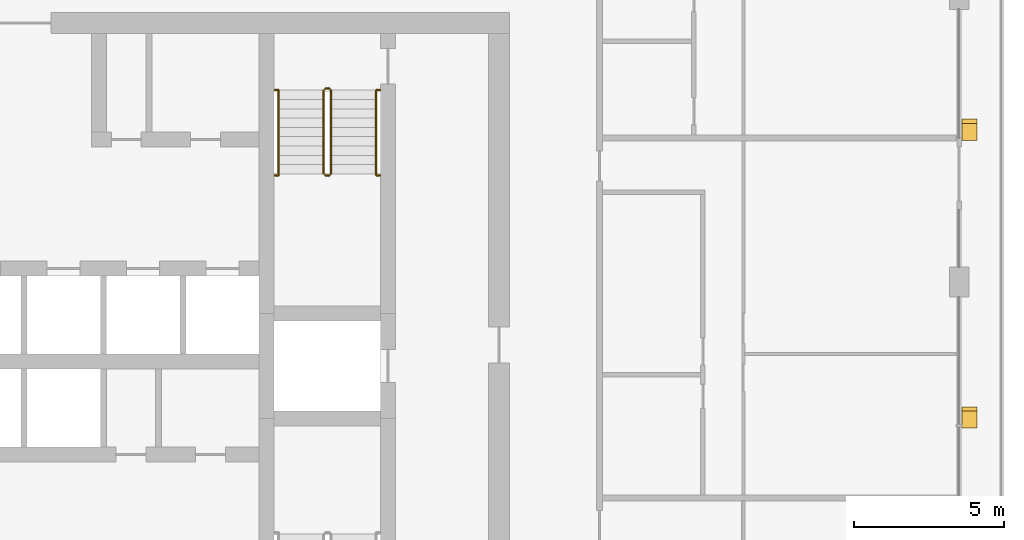
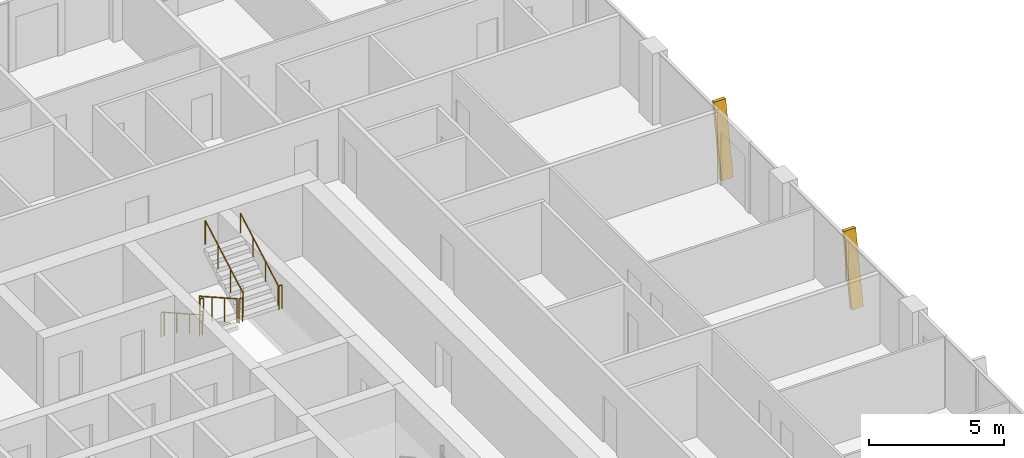
# One storey, part 22 of 23: 10 railings, 2 shading devices.
"""IFC4 building model written with IfcOpenShell, lengths in metres."""

from ifc_helpers import new_model, si_unit, direction, frame, origin, origin_2d, place, context, subcontext, project, spatial, polyline, circle, outline, extrude, material, type_object, element, save


model = new_model("IFC4")

# Units and contexts
model_context = context("Model", 3, precision=1e-05, world=origin(), true_north=direction((0.0, 1.0)))
body_context = subcontext(model_context, "Body", "Model", "MODEL_VIEW")
ifc_project = project(units=[si_unit("LENGTHUNIT", "METRE"), si_unit("AREAUNIT", "SQUARE_METRE"), si_unit("VOLUMEUNIT", "CUBIC_METRE"), si_unit("PLANEANGLEUNIT", "RADIAN"), si_unit("MASSUNIT", "GRAM", prefix="KILO")], contexts=[model_context])

# Site, building, storey
site_placement = place(None, origin())
site = spatial("IfcSite", under=ifc_project, at=site_placement, CompositionType="ELEMENT")
building_placement = place(site_placement, origin())
building = spatial("IfcBuilding", under=site, at=building_placement, Name="Madar Terraces", CompositionType="ELEMENT")
storey_placement = place(building_placement, frame((0.0, 0.0, 212.300048828125)))
storey = spatial("IfcBuildingStorey", under=building, at=storey_placement, Name="L55", CompositionType="ELEMENT", Elevation=212.300048828125)

# Shading devices
ifc_material_1 = material(Name="Aluminium, black anodised", Category="aluminium")
shading_device_type = type_object("IfcShadingDeviceType", Name="Facade fin blade 140 x 500", PredefinedType="USERDEFINED", material=ifc_material_1)
shading_device_1_placement = place(storey_placement, frame((62.75, 23.929931640625, 0.0), z_axis=(0.0, 0.0, 1.0), x_axis=(0.0, 1.0, 0.0)))
element("IfcShadingDevice", 1, at=shading_device_1_placement, inside=storey, type_object=shading_device_type, Name="FIN L55 E2", ObjectType="FIN", PredefinedType="USERDEFINED", context=body_context, shape_type="SweptSolid", body=[
    extrude(outline(polyline([(0.0, 0.0), (0.14013671875, 0.0), (0.704345703125, 3.199951171875), (0.564208984375, 3.199951171875), (0.0, 0.0)])), frame((0.0, 0.25, 0.0), z_axis=(0.0, -1.0, 0.0), x_axis=(1.0, 0.0, 0.0)), (0.0, 0.0, 1.0), 0.5),
])
shading_device_2_placement = place(storey_placement, frame((62.75, 33.530029296875, 0.0), z_axis=(0.0, 0.0, 1.0), x_axis=(0.0, 1.0, 0.0)))
element("IfcShadingDevice", 2, at=shading_device_2_placement, inside=storey, type_object=shading_device_type, Name="FIN L55 E3", ObjectType="FIN", PredefinedType="USERDEFINED", context=body_context, shape_type="SweptSolid", body=[
    extrude(outline(polyline([(0.0, 0.0), (0.139892578125, 0.0), (0.704345703125, 3.199951171875), (0.564208984375, 3.199951171875), (0.0, 0.0)])), frame((0.0, 0.25, 0.0), z_axis=(0.0, -1.0, 0.0), x_axis=(1.0, 0.0, 0.0)), (0.0, 0.0, 1.0), 0.5),
])

# Railings
ifc_material_2 = material(Name="Stainless steel railing", Category="steel")
railing_type_1 = type_object("IfcRailingType", Name="Stair guard 1100", PredefinedType="GUARDRAIL", material=ifc_material_2)
railing_1_placement = place(storey_placement, frame((41.199951171875, 35.199951171875, 0.175048828125)))
element("IfcRailing", 3, at=railing_1_placement, inside=storey, type_object=railing_type_1, Name="L55 ST2 stair guard 1", PredefinedType="GUARDRAIL", context=body_context, shape_type="SweptSolid", body=[
    extrude(circle(Radius=0.02392578125, at=origin_2d()), frame((0.0, 0.0, 1.076171875), z_axis=(0.0, -0.870833779661, 0.491577591232), x_axis=(1.0, 0.0, 0.0)), (0.0, 0.0, 1.0), 3.203857421875),
    extrude(circle(Radius=0.02099609375, at=origin_2d()), origin(), (0.0, 0.0, 1.0), 1.052001953125),
    extrude(circle(Radius=0.02099609375, at=origin_2d()), frame((0.0, -0.929931640625, 0.52490234375)), (0.0, 0.0, 1.0), 1.052001953125),
    extrude(circle(Radius=0.02099609375, at=origin_2d()), frame((0.0, -1.860107421875, 1.050048828125)), (0.0, 0.0, 1.0), 1.052001953125),
    extrude(circle(Radius=0.02099609375, at=origin_2d()), frame((0.0, -2.7900390625, 1.574951171875)), (0.0, 0.0, 1.0), 1.052001953125),
])
railing_2_placement = place(storey_placement, frame((41.25, 32.360107421875, 1.75)))
element("IfcRailing", 4, at=railing_2_placement, inside=storey, type_object=railing_type_1, Name="L55 ST2 stair guard 2", PredefinedType="GUARDRAIL", context=body_context, shape_type="SweptSolid", body=[
    extrude(circle(Radius=0.02392578125, at=origin_2d()), frame((0.0, 0.0, 1.076171875), z_axis=(1.0, 0.0, 0.0), x_axis=(0.0, 1.0, 0.0)), (0.0, 0.0, 1.0), 0.14990234375),
    extrude(circle(Radius=0.02099609375, at=origin_2d()), origin(), (0.0, 0.0, 1.0), 1.052001953125),
    extrude(circle(Radius=0.02099609375, at=origin_2d()), frame((0.14990234375, 0.0, 0.0)), (0.0, 0.0, 1.0), 1.052001953125),
])
railing_3_placement = place(storey_placement, frame((41.449951171875, 32.409912109375, 1.925048828125)))
element("IfcRailing", 5, at=railing_3_placement, inside=storey, type_object=railing_type_1, Name="L55 ST2 stair guard 3", PredefinedType="GUARDRAIL", context=body_context, shape_type="SweptSolid", body=[
    extrude(circle(Radius=0.02392578125, at=origin_2d()), frame((0.0, 0.0, 1.076171875), z_axis=(0.0, 0.870833779661, 0.491577591232), x_axis=(-1.0, 0.0, 0.0)), (0.0, 0.0, 1.0), 3.203857421875),
    extrude(circle(Radius=0.02099609375, at=origin_2d()), origin(), (0.0, 0.0, 1.0), 1.052001953125),
    extrude(circle(Radius=0.02099609375, at=origin_2d()), frame((0.0, 0.929931640625, 0.52490234375)), (0.0, 0.0, 1.0), 1.052001953125),
    extrude(circle(Radius=0.02099609375, at=origin_2d()), frame((0.0, 1.860107421875, 1.050048828125)), (0.0, 0.0, 1.0), 1.052001953125),
    extrude(circle(Radius=0.02099609375, at=origin_2d()), frame((0.0, 2.7900390625, 1.574951171875)), (0.0, 0.0, 1.0), 1.052001953125),
])
railing_4_placement = place(storey_placement, frame((41.25, 35.25, 0.0)))
element("IfcRailing", 6, at=railing_4_placement, inside=storey, type_object=railing_type_1, Name="L55 ST2 stair guard 4", PredefinedType="GUARDRAIL", context=body_context, shape_type="SweptSolid", body=[
    extrude(circle(Radius=0.02392578125, at=origin_2d()), frame((0.0, 0.0, 1.076171875), z_axis=(1.0, 0.0, 0.0), x_axis=(0.0, 1.0, 0.0)), (0.0, 0.0, 1.0), 0.14990234375),
    extrude(circle(Radius=0.02099609375, at=origin_2d()), origin(), (0.0, 0.0, 1.0), 1.052001953125),
    extrude(circle(Radius=0.02099609375, at=origin_2d()), frame((0.14990234375, 0.0, 0.0)), (0.0, 0.0, 1.0), 1.052001953125),
])
railing_5_placement = place(storey_placement, frame((39.570068359375, 32.360107421875, 1.75)))
element("IfcRailing", 7, at=railing_5_placement, inside=storey, type_object=railing_type_1, Name="L55 stair guard seat 1", PredefinedType="GUARDRAIL", context=body_context, shape_type="SweptSolid", body=[
    extrude(circle(Radius=0.02392578125, at=origin_2d()), frame((0.0, 0.0, 1.076171875), z_axis=(1.0, 0.0, 0.0), x_axis=(0.0, 1.0, 0.0)), (0.0, 0.0, 1.0), 0.1298828125),
    extrude(circle(Radius=0.02099609375, at=origin_2d()), origin(), (0.0, 0.0, 1.0), 1.052001953125),
    extrude(circle(Radius=0.02099609375, at=origin_2d()), frame((0.1298828125, 0.0, 0.0)), (0.0, 0.0, 1.0), 1.052001953125),
])
railing_6_placement = place(storey_placement, frame((42.949951171875, 32.360107421875, 1.75)))
element("IfcRailing", 8, at=railing_6_placement, inside=storey, type_object=railing_type_1, Name="L55 stair guard seat 2", PredefinedType="GUARDRAIL", context=body_context, shape_type="SweptSolid", body=[
    extrude(circle(Radius=0.02392578125, at=origin_2d()), frame((0.0, 0.0, 1.076171875), z_axis=(1.0, 0.0, 0.0), x_axis=(0.0, 1.0, 0.0)), (0.0, 0.0, 1.0), 0.130126953125),
    extrude(circle(Radius=0.02099609375, at=origin_2d()), origin(), (0.0, 0.0, 1.0), 1.052001953125),
    extrude(circle(Radius=0.02099609375, at=origin_2d()), frame((0.130126953125, 0.0, 0.0)), (0.0, 0.0, 1.0), 1.052001953125),
])
railing_7_placement = place(storey_placement, frame((39.570068359375, 35.199951171875, 0.0)))
element("IfcRailing", 9, at=railing_7_placement, inside=storey, type_object=railing_type_1, Name="L55 stair guard floor 1", PredefinedType="GUARDRAIL", context=body_context, shape_type="SweptSolid", body=[
    extrude(circle(Radius=0.02392578125, at=origin_2d()), frame((0.0, 0.0, 1.076171875), z_axis=(1.0, 0.0, 0.0), x_axis=(0.0, 1.0, 0.0)), (0.0, 0.0, 1.0), 0.1298828125),
    extrude(circle(Radius=0.02099609375, at=origin_2d()), origin(), (0.0, 0.0, 1.0), 1.052001953125),
    extrude(circle(Radius=0.02099609375, at=origin_2d()), frame((0.1298828125, 0.0, 0.0)), (0.0, 0.0, 1.0), 1.052001953125),
])
railing_8_placement = place(storey_placement, frame((42.949951171875, 35.199951171875, 0.0)))
element("IfcRailing", 10, at=railing_8_placement, inside=storey, type_object=railing_type_1, Name="L55 stair guard floor 2", PredefinedType="GUARDRAIL", context=body_context, shape_type="SweptSolid", body=[
    extrude(circle(Radius=0.02392578125, at=origin_2d()), frame((0.0, 0.0, 1.076171875), z_axis=(1.0, 0.0, 0.0), x_axis=(0.0, 1.0, 0.0)), (0.0, 0.0, 1.0), 0.130126953125),
    extrude(circle(Radius=0.02099609375, at=origin_2d()), origin(), (0.0, 0.0, 1.0), 1.052001953125),
    extrude(circle(Radius=0.02099609375, at=origin_2d()), frame((0.130126953125, 0.0, 0.0)), (0.0, 0.0, 1.0), 1.052001953125),
])
ifc_material_3 = material(Name="Stainless steel railing", Category="steel")
railing_type_2 = type_object("IfcRailingType", Name="Stair handrail 900", PredefinedType="HANDRAIL", material=ifc_material_3)
railing_9_placement = place(storey_placement, frame((39.699951171875, 35.199951171875, 0.175048828125)))
element("IfcRailing", 11, at=railing_9_placement, inside=storey, type_object=railing_type_2, Name="L55 ST2 stair handrail 1", PredefinedType="HANDRAIL", context=body_context, shape_type="SweptSolid", body=[
    extrude(circle(Radius=0.02392578125, at=origin_2d()), frame((0.0, 0.0, 0.8759765625), z_axis=(0.0, -0.870833779661, 0.491577591232), x_axis=(1.0, 0.0, 0.0)), (0.0, 0.0, 1.0), 3.203857421875),
    extrude(circle(Radius=0.02099609375, at=origin_2d()), origin(), (0.0, 0.0, 1.0), 0.851806640625),
    extrude(circle(Radius=0.02099609375, at=origin_2d()), frame((0.0, -0.929931640625, 0.52490234375)), (0.0, 0.0, 1.0), 0.851806640625),
    extrude(circle(Radius=0.02099609375, at=origin_2d()), frame((0.0, -1.860107421875, 1.050048828125)), (0.0, 0.0, 1.0), 0.851806640625),
    extrude(circle(Radius=0.02099609375, at=origin_2d()), frame((0.0, -2.7900390625, 1.574951171875)), (0.0, 0.0, 1.0), 0.851806640625),
])
railing_10_placement = place(storey_placement, frame((42.949951171875, 32.409912109375, 1.925048828125)))
element("IfcRailing", 12, at=railing_10_placement, inside=storey, type_object=railing_type_2, Name="L55 ST2 stair handrail 2", PredefinedType="HANDRAIL", context=body_context, shape_type="SweptSolid", body=[
    extrude(circle(Radius=0.02392578125, at=origin_2d()), frame((0.0, 0.0, 0.8759765625), z_axis=(0.0, 0.870833779661, 0.491577591232), x_axis=(-1.0, 0.0, 0.0)), (0.0, 0.0, 1.0), 3.203857421875),
    extrude(circle(Radius=0.02099609375, at=origin_2d()), origin(), (0.0, 0.0, 1.0), 0.851806640625),
    extrude(circle(Radius=0.02099609375, at=origin_2d()), frame((0.0, 0.929931640625, 0.52490234375)), (0.0, 0.0, 1.0), 0.851806640625),
    extrude(circle(Radius=0.02099609375, at=origin_2d()), frame((0.0, 1.860107421875, 1.050048828125)), (0.0, 0.0, 1.0), 0.851806640625),
    extrude(circle(Radius=0.02099609375, at=origin_2d()), frame((0.0, 2.7900390625, 1.574951171875)), (0.0, 0.0, 1.0), 0.851806640625),
])

save(model, "model.ifc")
